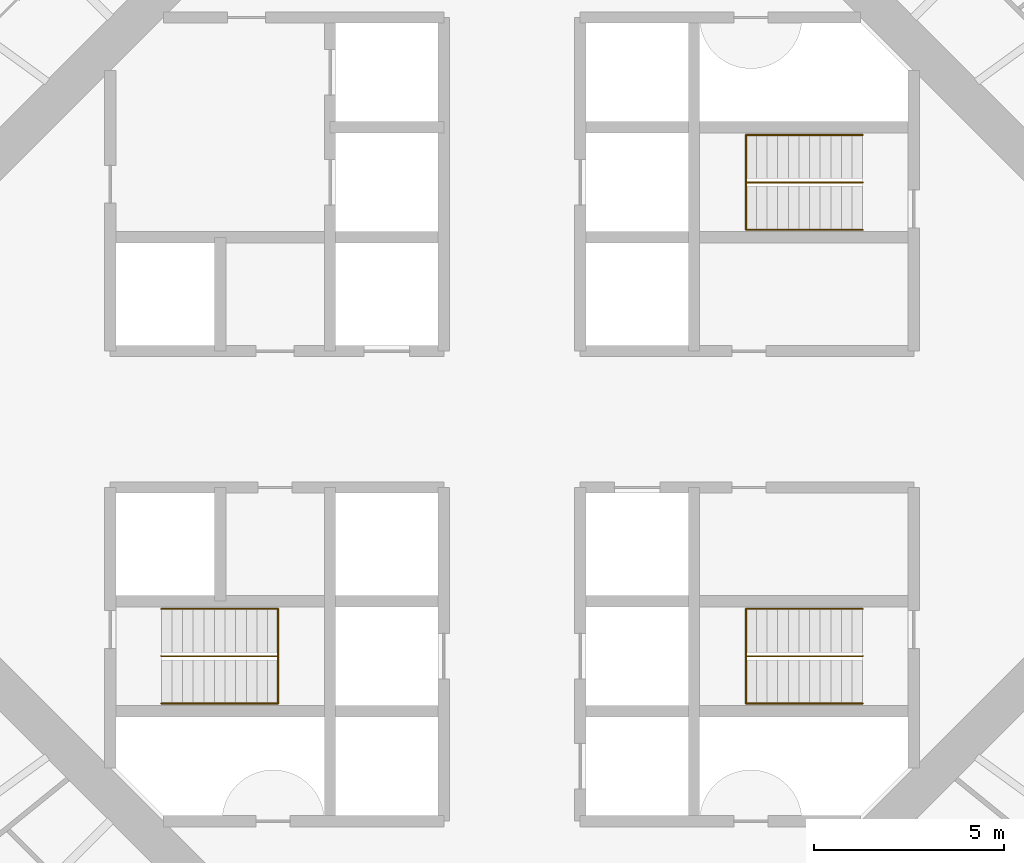
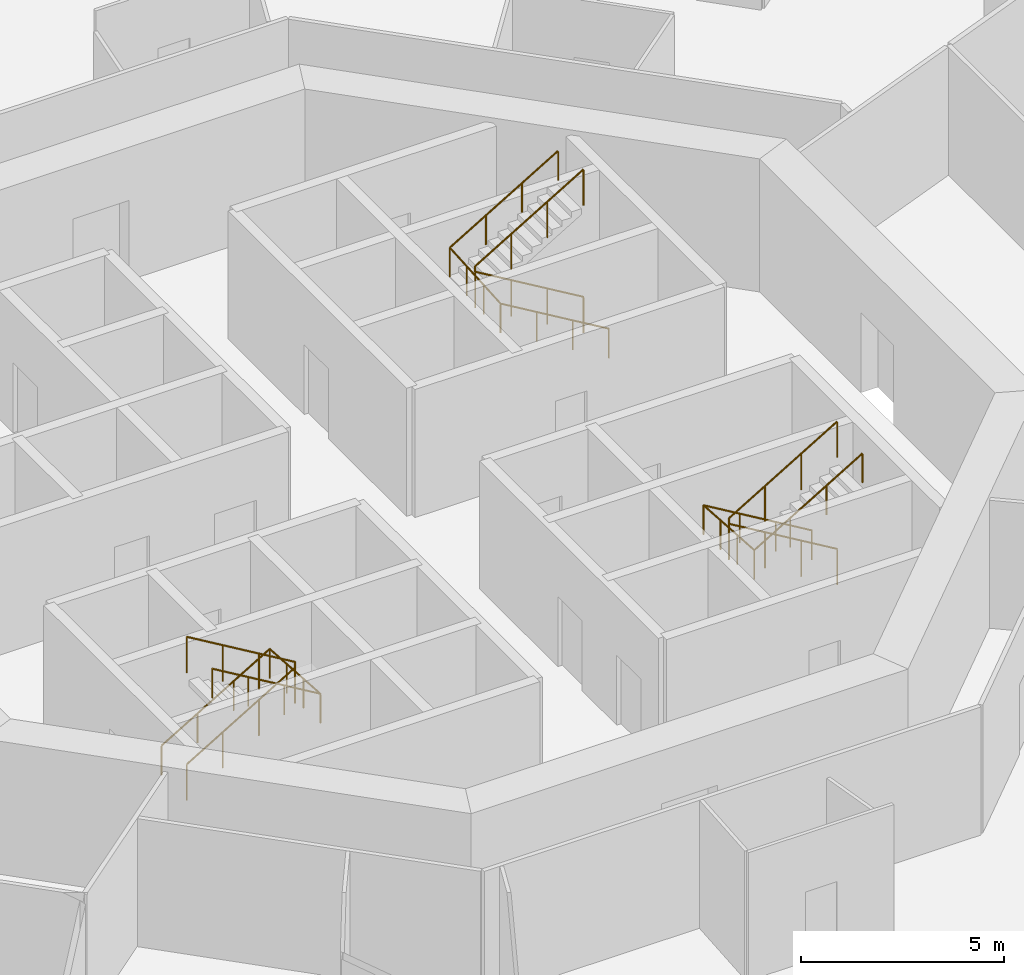
# One storey, part 12 of 12: 6 railings.
"""IFC4 building model written with IfcOpenShell, lengths in metres."""

from ifc_helpers import new_model, si_unit, direction, frame, origin, origin_2d, place, context, subcontext, project, spatial, circle, extrude, material, type_object, element, save


model = new_model("IFC4")

# Units and contexts
model_context = context("Model", 3, precision=1e-05, world=origin(), true_north=direction((0.0, 1.0)))
body_context = subcontext(model_context, "Body", "Model", "MODEL_VIEW")
ifc_project = project(units=[si_unit("LENGTHUNIT", "METRE"), si_unit("AREAUNIT", "SQUARE_METRE"), si_unit("VOLUMEUNIT", "CUBIC_METRE"), si_unit("PLANEANGLEUNIT", "RADIAN"), si_unit("MASSUNIT", "GRAM", prefix="KILO")], contexts=[model_context])

# Site, building, storey
site_placement = place(None, origin())
site = spatial("IfcSite", under=ifc_project, at=site_placement, CompositionType="ELEMENT")
building_placement = place(site_placement, origin())
building = spatial("IfcBuilding", under=site, at=building_placement, Name="Entoto Ring Tower", CompositionType="ELEMENT")
storey_placement = place(building_placement, frame((0.0, 0.0, 192.0)))
storey = spatial("IfcBuildingStorey", under=building, at=storey_placement, Name="L44", CompositionType="ELEMENT", Elevation=192.0)

# Railings
ifc_material_1 = material(Name="Steel S275", Category="steel")
railing_type_1 = type_object("IfcRailingType", Name="Stair guard 1100 mm steel", PredefinedType="GUARDRAIL", material=ifc_material_1)
railing_1_placement = place(storey_placement, frame((99.25, 86.25, 0.166748046875)))
element("IfcRailing", 1, at=railing_1_placement, inside=storey, type_object=railing_type_1, Name="Guard ST1", PredefinedType="GUARDRAIL", context=body_context, shape_type="SweptSolid", body=[
    extrude(circle(Radius=0.02392578125, at=origin_2d()), frame((0.0, 0.0, 1.076171875), z_axis=(-0.859308565015, 0.0, 0.511457515432), x_axis=(0.0, -1.0, 0.0)), (0.0, 0.0, 1.0), 3.58447265625),
    extrude(circle(Radius=0.02392578125, at=origin_2d()), frame((-3.080078125, 0.0, 2.9091796875), z_axis=(0.0, 0.0, 1.0), x_axis=(1.0, 0.0, 0.0)), (0.0, 0.0, 1.0), 0.166748046875),
    extrude(circle(Radius=0.02392578125, at=origin_2d()), frame((-3.080078125, 0.0, 3.076171875), z_axis=(0.859308565015, 0.0, 0.511457515432), x_axis=(0.0, 1.0, 0.0)), (0.0, 0.0, 1.0), 3.58447265625),
    extrude(circle(Radius=0.02099609375, at=origin_2d()), origin(), (0.0, 0.0, 1.0), 1.052001953125),
    extrude(circle(Radius=0.02099609375, at=origin_2d()), frame((-1.026611328125, 0.0, 0.611083984375)), (0.0, 0.0, 1.0), 1.052001953125),
    extrude(circle(Radius=0.02099609375, at=origin_2d()), frame((-2.053466796875, 0.0, 1.22216796875)), (0.0, 0.0, 1.0), 1.052001953125),
    extrude(circle(Radius=0.02099609375, at=origin_2d()), frame((-3.080078125, 0.0, 1.833251953125)), (0.0, 0.0, 1.0), 1.052001953125),
    extrude(circle(Radius=0.02099609375, at=origin_2d()), frame((-3.080078125, 0.0, 2.0)), (0.0, 0.0, 1.0), 1.052001953125),
    extrude(circle(Radius=0.02099609375, at=origin_2d()), frame((-2.053466796875, 0.0, 2.611083984375)), (0.0, 0.0, 1.0), 1.052001953125),
    extrude(circle(Radius=0.02099609375, at=origin_2d()), frame((-1.026611328125, 0.0, 3.22216796875)), (0.0, 0.0, 1.0), 1.052001953125),
    extrude(circle(Radius=0.02099609375, at=origin_2d()), frame((0.0, 0.0, 3.833251953125)), (0.0, 0.0, 1.0), 1.052001953125),
])
railing_2_placement = place(storey_placement, frame((80.75, 73.75, 0.166748046875)))
element("IfcRailing", 2, at=railing_2_placement, inside=storey, type_object=railing_type_1, Name="Guard ST2", PredefinedType="GUARDRAIL", context=body_context, shape_type="SweptSolid", body=[
    extrude(circle(Radius=0.02392578125, at=origin_2d()), frame((0.0, 0.0, 1.076171875), z_axis=(0.859308565015, 0.0, 0.511457515432), x_axis=(0.0, 1.0, 0.0)), (0.0, 0.0, 1.0), 3.58447265625),
    extrude(circle(Radius=0.02392578125, at=origin_2d()), frame((3.080078125, 0.0, 2.9091796875), z_axis=(0.0, 0.0, 1.0), x_axis=(1.0, 0.0, 0.0)), (0.0, 0.0, 1.0), 0.166748046875),
    extrude(circle(Radius=0.02392578125, at=origin_2d()), frame((3.080078125, 0.0, 3.076171875), z_axis=(-0.859308565015, 0.0, 0.511457515432), x_axis=(0.0, -1.0, 0.0)), (0.0, 0.0, 1.0), 3.58447265625),
    extrude(circle(Radius=0.02099609375, at=origin_2d()), origin(), (0.0, 0.0, 1.0), 1.052001953125),
    extrude(circle(Radius=0.02099609375, at=origin_2d()), frame((1.026611328125, 0.0, 0.611083984375)), (0.0, 0.0, 1.0), 1.052001953125),
    extrude(circle(Radius=0.02099609375, at=origin_2d()), frame((2.053466796875, 0.0, 1.22216796875)), (0.0, 0.0, 1.0), 1.052001953125),
    extrude(circle(Radius=0.02099609375, at=origin_2d()), frame((3.080078125, 0.0, 1.833251953125)), (0.0, 0.0, 1.0), 1.052001953125),
    extrude(circle(Radius=0.02099609375, at=origin_2d()), frame((3.080078125, 0.0, 2.0)), (0.0, 0.0, 1.0), 1.052001953125),
    extrude(circle(Radius=0.02099609375, at=origin_2d()), frame((2.053466796875, 0.0, 2.611083984375)), (0.0, 0.0, 1.0), 1.052001953125),
    extrude(circle(Radius=0.02099609375, at=origin_2d()), frame((1.026611328125, 0.0, 3.22216796875)), (0.0, 0.0, 1.0), 1.052001953125),
    extrude(circle(Radius=0.02099609375, at=origin_2d()), frame((0.0, 0.0, 3.833251953125)), (0.0, 0.0, 1.0), 1.052001953125),
])
railing_3_placement = place(storey_placement, frame((99.25, 73.75, 0.166748046875)))
element("IfcRailing", 3, at=railing_3_placement, inside=storey, type_object=railing_type_1, Name="Guard ST3", PredefinedType="GUARDRAIL", context=body_context, shape_type="SweptSolid", body=[
    extrude(circle(Radius=0.02392578125, at=origin_2d()), frame((0.0, 0.0, 1.076171875), z_axis=(-0.859308565015, 0.0, 0.511457515432), x_axis=(0.0, -1.0, 0.0)), (0.0, 0.0, 1.0), 3.58447265625),
    extrude(circle(Radius=0.02392578125, at=origin_2d()), frame((-3.080078125, 0.0, 2.9091796875), z_axis=(0.0, 0.0, 1.0), x_axis=(1.0, 0.0, 0.0)), (0.0, 0.0, 1.0), 0.166748046875),
    extrude(circle(Radius=0.02392578125, at=origin_2d()), frame((-3.080078125, 0.0, 3.076171875), z_axis=(0.859308565015, 0.0, 0.511457515432), x_axis=(0.0, 1.0, 0.0)), (0.0, 0.0, 1.0), 3.58447265625),
    extrude(circle(Radius=0.02099609375, at=origin_2d()), origin(), (0.0, 0.0, 1.0), 1.052001953125),
    extrude(circle(Radius=0.02099609375, at=origin_2d()), frame((-1.026611328125, 0.0, 0.611083984375)), (0.0, 0.0, 1.0), 1.052001953125),
    extrude(circle(Radius=0.02099609375, at=origin_2d()), frame((-2.053466796875, 0.0, 1.22216796875)), (0.0, 0.0, 1.0), 1.052001953125),
    extrude(circle(Radius=0.02099609375, at=origin_2d()), frame((-3.080078125, 0.0, 1.833251953125)), (0.0, 0.0, 1.0), 1.052001953125),
    extrude(circle(Radius=0.02099609375, at=origin_2d()), frame((-3.080078125, 0.0, 2.0)), (0.0, 0.0, 1.0), 1.052001953125),
    extrude(circle(Radius=0.02099609375, at=origin_2d()), frame((-2.053466796875, 0.0, 2.611083984375)), (0.0, 0.0, 1.0), 1.052001953125),
    extrude(circle(Radius=0.02099609375, at=origin_2d()), frame((-1.026611328125, 0.0, 3.22216796875)), (0.0, 0.0, 1.0), 1.052001953125),
    extrude(circle(Radius=0.02099609375, at=origin_2d()), frame((0.0, 0.0, 3.833251953125)), (0.0, 0.0, 1.0), 1.052001953125),
])
ifc_material_2 = material(Name="Steel S275", Category="steel")
railing_type_2 = type_object("IfcRailingType", Name="Stair handrail 900 mm steel", PredefinedType="HANDRAIL", material=ifc_material_2)
railing_4_placement = place(storey_placement, frame((99.25, 85.0, 0.166748046875)))
element("IfcRailing", 4, at=railing_4_placement, inside=storey, type_object=railing_type_2, Name="Handrail ST1", PredefinedType="HANDRAIL", context=body_context, shape_type="SweptSolid", body=[
    extrude(circle(Radius=0.02392578125, at=origin_2d()), frame((0.0, 0.0, 0.8759765625), z_axis=(-0.859308565015, 0.0, 0.511457515432), x_axis=(0.0, -1.0, 0.0)), (0.0, 0.0, 1.0), 3.58447265625),
    extrude(circle(Radius=0.02392578125, at=origin_2d()), frame((-3.080078125, 0.0, 2.708984375), z_axis=(0.0, 0.997783001586, 0.066551346688), x_axis=(-1.0, 0.0, 0.0)), (0.0, 0.0, 1.0), 2.505615234375),
    extrude(circle(Radius=0.02392578125, at=origin_2d()), frame((-3.080078125, 2.5, 2.8759765625), z_axis=(0.859308565015, 0.0, 0.511457515432), x_axis=(0.0, 1.0, 0.0)), (0.0, 0.0, 1.0), 3.58447265625),
    extrude(circle(Radius=0.02099609375, at=origin_2d()), origin(), (0.0, 0.0, 1.0), 0.851806640625),
    extrude(circle(Radius=0.02099609375, at=origin_2d()), frame((-1.026611328125, 0.0, 0.611083984375)), (0.0, 0.0, 1.0), 0.851806640625),
    extrude(circle(Radius=0.02099609375, at=origin_2d()), frame((-2.053466796875, 0.0, 1.22216796875)), (0.0, 0.0, 1.0), 0.851806640625),
    extrude(circle(Radius=0.02099609375, at=origin_2d()), frame((-3.080078125, 0.0, 1.833251953125)), (0.0, 0.0, 1.0), 0.851806640625),
    extrude(circle(Radius=0.02099609375, at=origin_2d()), frame((-3.080078125, 0.833251953125, 1.888916015625)), (0.0, 0.0, 1.0), 0.851806640625),
    extrude(circle(Radius=0.02099609375, at=origin_2d()), frame((-3.080078125, 1.666748046875, 1.9443359375)), (0.0, 0.0, 1.0), 0.851806640625),
    extrude(circle(Radius=0.02099609375, at=origin_2d()), frame((-3.080078125, 2.5, 2.0)), (0.0, 0.0, 1.0), 0.851806640625),
    extrude(circle(Radius=0.02099609375, at=origin_2d()), frame((-2.053466796875, 2.5, 2.611083984375)), (0.0, 0.0, 1.0), 0.851806640625),
    extrude(circle(Radius=0.02099609375, at=origin_2d()), frame((-1.026611328125, 2.5, 3.22216796875)), (0.0, 0.0, 1.0), 0.851806640625),
    extrude(circle(Radius=0.02099609375, at=origin_2d()), frame((0.0, 2.5, 3.833251953125)), (0.0, 0.0, 1.0), 0.851806640625),
])
railing_5_placement = place(storey_placement, frame((80.75, 75.0, 0.166748046875)))
element("IfcRailing", 5, at=railing_5_placement, inside=storey, type_object=railing_type_2, Name="Handrail ST2", PredefinedType="HANDRAIL", context=body_context, shape_type="SweptSolid", body=[
    extrude(circle(Radius=0.02392578125, at=origin_2d()), frame((0.0, 0.0, 0.8759765625), z_axis=(0.859308565015, 0.0, 0.511457515432), x_axis=(0.0, 1.0, 0.0)), (0.0, 0.0, 1.0), 3.58447265625),
    extrude(circle(Radius=0.02392578125, at=origin_2d()), frame((3.080078125, 0.0, 2.708984375), z_axis=(0.0, -0.997783001586, 0.066551346688), x_axis=(1.0, 0.0, 0.0)), (0.0, 0.0, 1.0), 2.505615234375),
    extrude(circle(Radius=0.02392578125, at=origin_2d()), frame((3.080078125, -2.5, 2.8759765625), z_axis=(-0.859308565015, 0.0, 0.511457515432), x_axis=(0.0, -1.0, 0.0)), (0.0, 0.0, 1.0), 3.58447265625),
    extrude(circle(Radius=0.02099609375, at=origin_2d()), origin(), (0.0, 0.0, 1.0), 0.851806640625),
    extrude(circle(Radius=0.02099609375, at=origin_2d()), frame((1.026611328125, 0.0, 0.611083984375)), (0.0, 0.0, 1.0), 0.851806640625),
    extrude(circle(Radius=0.02099609375, at=origin_2d()), frame((2.053466796875, 0.0, 1.22216796875)), (0.0, 0.0, 1.0), 0.851806640625),
    extrude(circle(Radius=0.02099609375, at=origin_2d()), frame((3.080078125, 0.0, 1.833251953125)), (0.0, 0.0, 1.0), 0.851806640625),
    extrude(circle(Radius=0.02099609375, at=origin_2d()), frame((3.080078125, -0.833251953125, 1.888916015625)), (0.0, 0.0, 1.0), 0.851806640625),
    extrude(circle(Radius=0.02099609375, at=origin_2d()), frame((3.080078125, -1.666748046875, 1.9443359375)), (0.0, 0.0, 1.0), 0.851806640625),
    extrude(circle(Radius=0.02099609375, at=origin_2d()), frame((3.080078125, -2.5, 2.0)), (0.0, 0.0, 1.0), 0.851806640625),
    extrude(circle(Radius=0.02099609375, at=origin_2d()), frame((2.053466796875, -2.5, 2.611083984375)), (0.0, 0.0, 1.0), 0.851806640625),
    extrude(circle(Radius=0.02099609375, at=origin_2d()), frame((1.026611328125, -2.5, 3.22216796875)), (0.0, 0.0, 1.0), 0.851806640625),
    extrude(circle(Radius=0.02099609375, at=origin_2d()), frame((0.0, -2.5, 3.833251953125)), (0.0, 0.0, 1.0), 0.851806640625),
])
railing_6_placement = place(storey_placement, frame((99.25, 75.0, 0.166748046875)))
element("IfcRailing", 6, at=railing_6_placement, inside=storey, type_object=railing_type_2, Name="Handrail ST3", PredefinedType="HANDRAIL", context=body_context, shape_type="SweptSolid", body=[
    extrude(circle(Radius=0.02392578125, at=origin_2d()), frame((0.0, 0.0, 0.8759765625), z_axis=(-0.859308565015, 0.0, 0.511457515432), x_axis=(0.0, -1.0, 0.0)), (0.0, 0.0, 1.0), 3.58447265625),
    extrude(circle(Radius=0.02392578125, at=origin_2d()), frame((-3.080078125, 0.0, 2.708984375), z_axis=(0.0, -0.997783001586, 0.066551346688), x_axis=(1.0, 0.0, 0.0)), (0.0, 0.0, 1.0), 2.505615234375),
    extrude(circle(Radius=0.02392578125, at=origin_2d()), frame((-3.080078125, -2.5, 2.8759765625), z_axis=(0.859308565015, 0.0, 0.511457515432), x_axis=(0.0, 1.0, 0.0)), (0.0, 0.0, 1.0), 3.58447265625),
    extrude(circle(Radius=0.02099609375, at=origin_2d()), origin(), (0.0, 0.0, 1.0), 0.851806640625),
    extrude(circle(Radius=0.02099609375, at=origin_2d()), frame((-1.026611328125, 0.0, 0.611083984375)), (0.0, 0.0, 1.0), 0.851806640625),
    extrude(circle(Radius=0.02099609375, at=origin_2d()), frame((-2.053466796875, 0.0, 1.22216796875)), (0.0, 0.0, 1.0), 0.851806640625),
    extrude(circle(Radius=0.02099609375, at=origin_2d()), frame((-3.080078125, 0.0, 1.833251953125)), (0.0, 0.0, 1.0), 0.851806640625),
    extrude(circle(Radius=0.02099609375, at=origin_2d()), frame((-3.080078125, -0.833251953125, 1.888916015625)), (0.0, 0.0, 1.0), 0.851806640625),
    extrude(circle(Radius=0.02099609375, at=origin_2d()), frame((-3.080078125, -1.666748046875, 1.9443359375)), (0.0, 0.0, 1.0), 0.851806640625),
    extrude(circle(Radius=0.02099609375, at=origin_2d()), frame((-3.080078125, -2.5, 2.0)), (0.0, 0.0, 1.0), 0.851806640625),
    extrude(circle(Radius=0.02099609375, at=origin_2d()), frame((-2.053466796875, -2.5, 2.611083984375)), (0.0, 0.0, 1.0), 0.851806640625),
    extrude(circle(Radius=0.02099609375, at=origin_2d()), frame((-1.026611328125, -2.5, 3.22216796875)), (0.0, 0.0, 1.0), 0.851806640625),
    extrude(circle(Radius=0.02099609375, at=origin_2d()), frame((0.0, -2.5, 3.833251953125)), (0.0, 0.0, 1.0), 0.851806640625),
])

save(model, "model.ifc")
